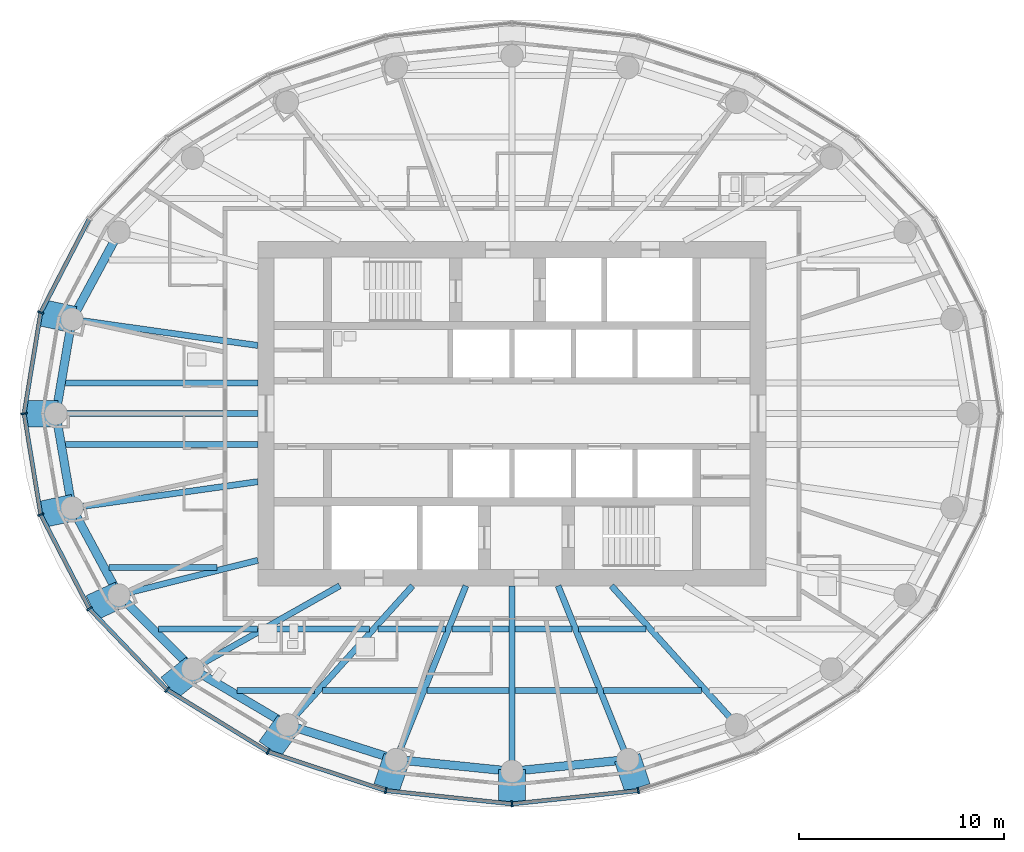
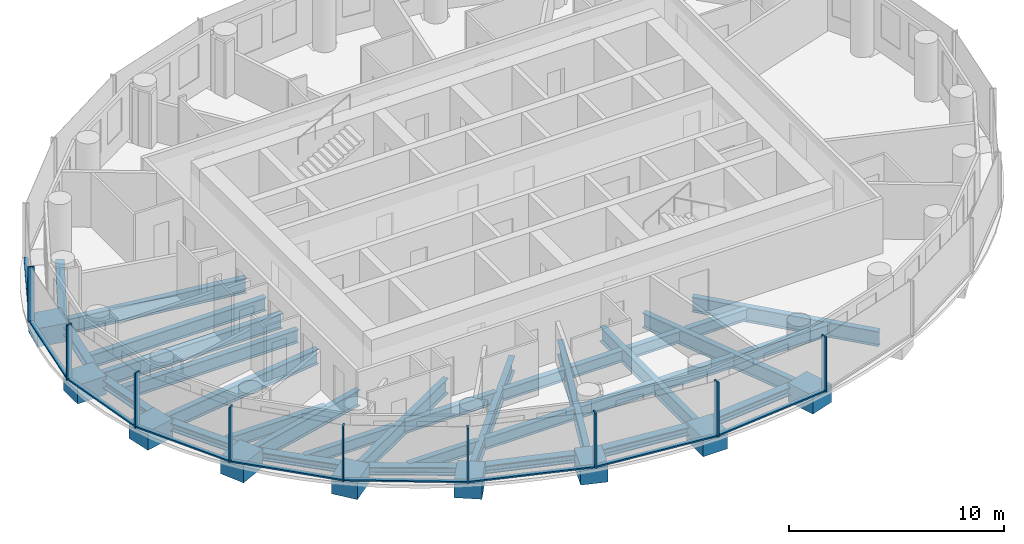
# One storey, part 2 of 16: 42 beams, 18 members, 3 elements without a shape of their own.
"""IFC4 building model written with IfcOpenShell, lengths in metres."""

from ifc_helpers import new_model, si_unit, direction, frame, origin, origin_2d, place, context, subcontext, project, spatial, rectangle, i_section, extrude, material, material_profile, profile_set, type_object, element, aggregate, save


model = new_model("IFC4")

# Units and contexts
model_context = context("Model", 3, precision=1e-05, world=origin(), true_north=direction((0.0, 1.0)))
body_context = subcontext(model_context, "Body", "Model", "MODEL_VIEW")
ifc_project = project(units=[si_unit("LENGTHUNIT", "METRE"), si_unit("AREAUNIT", "SQUARE_METRE"), si_unit("VOLUMEUNIT", "CUBIC_METRE"), si_unit("PLANEANGLEUNIT", "RADIAN"), si_unit("MASSUNIT", "GRAM", prefix="KILO")], contexts=[model_context])

# Site, building, storey
site_placement = place(None, origin())
site = spatial("IfcSite", under=ifc_project, at=site_placement, CompositionType="ELEMENT")
building_placement = place(site_placement, origin())
building = spatial("IfcBuilding", under=site, at=building_placement, Name="Hankou Lantern Tower", CompositionType="ELEMENT")
storey_placement = place(building_placement, frame((0.0, 0.0, 143.39990234375)))
storey = spatial("IfcBuildingStorey", under=building, at=storey_placement, Name="L37", CompositionType="ELEMENT", Elevation=143.39990234375)

# Beams
ifc_material_1 = material(Name="Steel Q355B", Category="steel")
ifc_material_profile_1 = material_profile(ifc_material_1, i_section(OverallWidth=0.4169921875, OverallDepth=0.4580078125, WebThickness=0.030029296875, FlangeThickness=0.050048828125, FilletRadius=0.02197265625, at=origin_2d()), Name="HW458x417x30x50")
ifc_profile_set_1 = profile_set([ifc_material_profile_1], Name="Steel Q355B")
beam_type_1 = type_object("IfcBeamType", Name="EB21 RING BEAM HW458x417x30x50", PredefinedType="SPANDREL", material=ifc_profile_set_1)
beam_1_placement = place(storey_placement, frame((-19.172119140625, 8.855224609375, -0.408935546875), z_axis=(-0.474051612334, -0.880497057828, 0.0), x_axis=(0.880497057828, -0.474051612334, 0.0)))
element("IfcBeam", 1, at=beam_1_placement, inside=storey, type_object=beam_type_1, Name="Ring beam R11-R12 L37", PredefinedType="SPANDREL", context=body_context, shape_type="SweptSolid", body=[
    extrude(i_section(OverallWidth=0.4169921875, OverallDepth=0.4580078125, WebThickness=0.030029296875, FlangeThickness=0.050048828125, FilletRadius=0.02197265625, at=origin_2d()), origin(), (0.0, 0.0, 1.0), 4.831787109375),
])
for number, where, z_axis, x_axis, name in (
    (2, (-21.462646484375, 4.600830078125, -0.408935546875), (-0.168680718946, -0.985670743735, 0.0), (0.985670743735, -0.168680718946, 0.0), "Ring beam R12-R13 L37"),
    (3, (-22.25, 0.0, -0.408935546875), (0.168680718946, -0.985670743735, 0.0), (0.985670743735, 0.168680718946, 0.0), "Ring beam R13-R14 L37"),
):
    element("IfcBeam", number, at=place(storey_placement, frame(where, z_axis=z_axis, x_axis=x_axis)), inside=storey, type_object=beam_type_1, Name=name, PredefinedType="SPANDREL", context=body_context, shape_type="SweptSolid", body=[
        extrude(i_section(OverallWidth=0.4169921875, OverallDepth=0.4580078125, WebThickness=0.030029296875, FlangeThickness=0.050048828125, FilletRadius=0.02197265625, at=origin_2d()), origin(), (0.0, 0.0, 1.0), 4.667724609375),
    ])
beam_2_placement = place(storey_placement, frame((-21.462646484375, -4.600830078125, -0.408935546875), z_axis=(0.474051612334, -0.880497057828, 0.0), x_axis=(0.880497057828, 0.474051612334, 0.0)))
element("IfcBeam", 4, at=beam_2_placement, inside=storey, type_object=beam_type_1, Name="Ring beam R14-R15 L37", PredefinedType="SPANDREL", context=body_context, shape_type="SweptSolid", body=[
    extrude(i_section(OverallWidth=0.4169921875, OverallDepth=0.4580078125, WebThickness=0.030029296875, FlangeThickness=0.050048828125, FilletRadius=0.02197265625, at=origin_2d()), origin(), (0.0, 0.0, 1.0), 4.831787109375),
])
beam_3_placement = place(storey_placement, frame((-19.172119140625, -8.855224609375, -0.408935546875), z_axis=(0.706147278092, -0.708064984054, 0.0), x_axis=(0.708064984054, 0.706147278092, 0.0)))
element("IfcBeam", 5, at=beam_3_placement, inside=storey, type_object=beam_type_1, Name="Ring beam R15-R16 L37", PredefinedType="SPANDREL", context=body_context, shape_type="SweptSolid", body=[
    extrude(i_section(OverallWidth=0.4169921875, OverallDepth=0.4580078125, WebThickness=0.030029296875, FlangeThickness=0.050048828125, FilletRadius=0.02197265625, at=origin_2d()), origin(), (0.0, 0.0, 1.0), 5.09228515625),
])
beam_4_placement = place(storey_placement, frame((-15.576171875, -12.4609375, -0.408935546875), z_axis=(0.861135888339, -0.508374843806, 0.0), x_axis=(0.508374843806, 0.861135888339, 0.0)))
element("IfcBeam", 6, at=beam_4_placement, inside=storey, type_object=beam_type_1, Name="Ring beam R16-R17 L37", PredefinedType="SPANDREL", context=body_context, shape_type="SweptSolid", body=[
    extrude(i_section(OverallWidth=0.4169921875, OverallDepth=0.4580078125, WebThickness=0.030029296875, FlangeThickness=0.050048828125, FilletRadius=0.02197265625, at=origin_2d()), origin(), (0.0, 0.0, 1.0), 5.36083984375),
])
beam_5_placement = place(storey_placement, frame((-10.959716796875, -15.186279296875, -0.408935546875), z_axis=(0.952790404271, -0.30362879562, 0.0), x_axis=(0.30362879562, 0.952790404271, 0.0)))
element("IfcBeam", 7, at=beam_5_placement, inside=storey, type_object=beam_type_1, Name="Ring beam R17-R18 L37", PredefinedType="SPANDREL", context=body_context, shape_type="SweptSolid", body=[
    extrude(i_section(OverallWidth=0.4169921875, OverallDepth=0.4580078125, WebThickness=0.030029296875, FlangeThickness=0.050048828125, FilletRadius=0.02197265625, at=origin_2d()), origin(), (0.0, 0.0, 1.0), 5.56982421875),
])
for number, where, z_axis, x_axis, name in (
    (8, (-5.65283203125, -16.87744140625, -0.408935546875), (0.9949104636, -0.100762936734, 0.0), (0.100762936734, 0.9949104636, 0.0), "Ring beam R18-R19 L37"),
    (9, (0.0, -17.449951171875, -0.408935546875), (0.9949104636, 0.100762936734, 0.0), (-0.100762936734, 0.9949104636, 0.0), "Ring beam R19-R20 L37"),
):
    element("IfcBeam", number, at=place(storey_placement, frame(where, z_axis=z_axis, x_axis=x_axis)), inside=storey, type_object=beam_type_1, Name=name, PredefinedType="SPANDREL", context=body_context, shape_type="SweptSolid", body=[
        extrude(i_section(OverallWidth=0.4169921875, OverallDepth=0.4580078125, WebThickness=0.030029296875, FlangeThickness=0.050048828125, FilletRadius=0.02197265625, at=origin_2d()), origin(), (0.0, 0.0, 1.0), 5.681640625),
    ])

# Curtain wall, member
ifc_material_2 = material(Name="Glass, dark grey tinted laminated", Category="glass")
curtain_wall_type = type_object("IfcCurtainWallType", Name="CWC OUTER SKIN HIGH-RISE", PredefinedType="USERDEFINED", material=ifc_material_2)
curtain_wall_1_placement = place(storey_placement, origin())
curtain_wall_1 = element("IfcCurtainWall", 10, at=curtain_wall_1_placement, inside=storey, type_object=curtain_wall_type, Name="CWC L37 OS2", ObjectType="OUTER SKIN HIGH-RISE", PredefinedType="USERDEFINED")
ifc_material_3 = material(Name="Aluminium, black anodised", Category="aluminium")
ifc_material_profile_2 = material_profile(ifc_material_3, rectangle(XDim=0.080078125, YDim=0.300048828125, at=origin_2d()), Name="MU1 80X300")
ifc_profile_set_2 = profile_set([ifc_material_profile_2], Name="Aluminium, black anodised")
member_type_1 = type_object("IfcMemberType", Name="MU1 OUTER SKIN MULLION 80X300", PredefinedType="MULLION", material=ifc_profile_set_2)
member_1_placement = place(storey_placement, frame((-22.989013671875, 4.927978515625, 0.0), z_axis=(0.0, 0.0, 1.0), x_axis=(-0.317595577365, -0.94822626479, 0.0)))
member_1 = element("IfcMember", 11, at=member_1_placement, type_object=member_type_1, Name="CWC mullion 6", PredefinedType="MULLION", context=body_context, shape_type="SweptSolid", body=[
    extrude(rectangle(XDim=0.080078125, YDim=0.300048828125, at=origin_2d()), origin(), (0.0, 0.0, 1.0), 3.1201171875),
])

# Curtain wall, members
curtain_wall_2_placement = place(storey_placement, origin())
curtain_wall_2 = element("IfcCurtainWall", 12, at=curtain_wall_2_placement, inside=storey, type_object=curtain_wall_type, Name="CWC L37 OS3", ObjectType="OUTER SKIN HIGH-RISE", PredefinedType="USERDEFINED")
member_2_placement = place(storey_placement, frame((-23.800048828125, 0.0, 0.0), z_axis=(0.0, 0.0, 1.0), x_axis=(0.162381515188, -0.986728049427, 0.0)))
member_2 = element("IfcMember", 13, at=member_2_placement, type_object=member_type_1, Name="CWC mullion 1", PredefinedType="MULLION", context=body_context, shape_type="SweptSolid", body=[
    extrude(rectangle(XDim=0.080078125, YDim=0.300048828125, at=origin_2d()), origin(), (0.0, 0.0, 1.0), 3.1201171875),
])
member_3_placement = place(storey_placement, frame((-22.989013671875, -4.927978515625, 0.0), z_axis=(0.0, 0.0, 1.0), x_axis=(0.317595577365, -0.94822626479, 0.0)))
member_3 = element("IfcMember", 14, at=member_3_placement, type_object=member_type_1, Name="CWC mullion 2", PredefinedType="MULLION", context=body_context, shape_type="SweptSolid", body=[
    extrude(rectangle(XDim=0.080078125, YDim=0.300048828125, at=origin_2d()), origin(), (0.0, 0.0, 1.0), 3.1201171875),
])
member_4_placement = place(storey_placement, frame((-20.611328125, -9.52001953125, 0.0), z_axis=(0.0, 0.0, 1.0), x_axis=(0.585205735974, -0.810884854084, 0.0)))
member_4 = element("IfcMember", 15, at=member_4_placement, type_object=member_type_1, Name="CWC mullion 3", PredefinedType="MULLION", context=body_context, shape_type="SweptSolid", body=[
    extrude(rectangle(XDim=0.080078125, YDim=0.300048828125, at=origin_2d()), origin(), (0.0, 0.0, 1.0), 3.1201171875),
])
member_5_placement = place(storey_placement, frame((-16.8291015625, -13.46337890625, 0.0), z_axis=(0.0, 0.0, 1.0), x_axis=(0.780868809444, -0.624695047553, 0.0)))
member_5 = element("IfcMember", 16, at=member_5_placement, type_object=member_type_1, Name="CWC mullion 4", PredefinedType="MULLION", context=body_context, shape_type="SweptSolid", body=[
    extrude(rectangle(XDim=0.080078125, YDim=0.300048828125, at=origin_2d()), origin(), (0.0, 0.0, 1.0), 3.1201171875),
])
member_6_placement = place(storey_placement, frame((-11.89990234375, -16.489013671875, 0.0), z_axis=(0.0, 0.0, 1.0), x_axis=(0.907841299004, -0.419313934686, 0.0)))
member_6 = element("IfcMember", 17, at=member_6_placement, type_object=member_type_1, Name="CWC mullion 5", PredefinedType="MULLION", context=body_context, shape_type="SweptSolid", body=[
    extrude(rectangle(XDim=0.080078125, YDim=0.300048828125, at=origin_2d()), origin(), (0.0, 0.0, 1.0), 3.1201171875),
])
member_7_placement = place(storey_placement, frame((-6.159912109375, -18.39111328125, 0.0), z_axis=(0.0, 0.0, 1.0), x_axis=(0.977787659625, -0.209597931016, 0.0)))
member_7 = element("IfcMember", 18, at=member_7_placement, type_object=member_type_1, Name="CWC mullion 6", PredefinedType="MULLION", context=body_context, shape_type="SweptSolid", body=[
    extrude(rectangle(XDim=0.080078125, YDim=0.300048828125, at=origin_2d()), origin(), (0.0, 0.0, 1.0), 3.1201171875),
])

curtain_wall_3_placement = place(storey_placement, origin())
curtain_wall_3 = element("IfcCurtainWall", 19, at=curtain_wall_3_placement, inside=storey, type_object=curtain_wall_type, Name="CWC L37 OS4", ObjectType="OUTER SKIN HIGH-RISE", PredefinedType="USERDEFINED")
member_8_placement = place(storey_placement, frame((0.0, -19.0400390625, 0.0), z_axis=(0.0, 0.0, 1.0), x_axis=(0.994499359107, 0.104742659579, 0.0)))
member_8 = element("IfcMember", 20, at=member_8_placement, type_object=member_type_1, Name="CWC mullion 1", PredefinedType="MULLION", context=body_context, shape_type="SweptSolid", body=[
    extrude(rectangle(XDim=0.080078125, YDim=0.300048828125, at=origin_2d()), origin(), (0.0, 0.0, 1.0), 3.1201171875),
])
member_9_placement = place(storey_placement, frame((6.159912109375, -18.39111328125, 0.0), z_axis=(0.0, 0.0, 1.0), x_axis=(0.977787659625, 0.209597931016, 0.0)))
member_9 = element("IfcMember", 21, at=member_9_placement, type_object=member_type_1, Name="CWC mullion 2", PredefinedType="MULLION", context=body_context, shape_type="SweptSolid", body=[
    extrude(rectangle(XDim=0.080078125, YDim=0.300048828125, at=origin_2d()), origin(), (0.0, 0.0, 1.0), 3.1201171875),
])

# Beams
ifc_material_4 = material(Name="Steel Q355B", Category="steel")
ifc_material_profile_3 = material_profile(ifc_material_4, i_section(OverallWidth=0.300048828125, OverallDepth=0.85009765625, WebThickness=0.01611328125, FlangeThickness=0.027099609375, FilletRadius=0.01806640625, at=origin_2d()), Name="HN850x300x16x27")
ifc_profile_set_3 = profile_set([ifc_material_profile_3], Name="Steel Q355B")
beam_type_2 = type_object("IfcBeamType", Name="RB12 RADIAL BEAM HN850x300x16x27", PredefinedType="BEAM", material=ifc_profile_set_3)
beam_6_placement = place(storey_placement, frame((-12.39990234375, 3.322509765625, -0.60498046875), z_axis=(-0.990198154617, 0.13966966239, 0.0), x_axis=(-0.13966966239, -0.990198154617, 0.0)))
element("IfcBeam", 22, at=beam_6_placement, inside=storey, type_object=beam_type_2, Name="Radial beam R12 L37", PredefinedType="BEAM", context=body_context, shape_type="SweptSolid", body=[
    extrude(i_section(OverallWidth=0.300048828125, OverallDepth=0.85009765625, WebThickness=0.01611328125, FlangeThickness=0.027099609375, FilletRadius=0.01806640625, at=origin_2d()), origin(), (0.0, 0.0, 1.0), 9.15234375),
])
beam_7_placement = place(storey_placement, frame((-12.39990234375, 0.0, -0.60498046875), z_axis=(-1.0, 0.0, 0.0), x_axis=(0.0, -1.0, 0.0)))
element("IfcBeam", 23, at=beam_7_placement, inside=storey, type_object=beam_type_2, Name="Radial beam R13 L37", PredefinedType="BEAM", context=body_context, shape_type="SweptSolid", body=[
    extrude(i_section(OverallWidth=0.300048828125, OverallDepth=0.85009765625, WebThickness=0.01611328125, FlangeThickness=0.027099609375, FilletRadius=0.01806640625, at=origin_2d()), origin(), (0.0, 0.0, 1.0), 9.85009765625),
])
beam_8_placement = place(storey_placement, frame((-12.39990234375, -3.322509765625, -0.60498046875), z_axis=(-0.990198154617, -0.13966966239, 0.0), x_axis=(0.13966966239, -0.990198154617, 0.0)))
element("IfcBeam", 24, at=beam_8_placement, inside=storey, type_object=beam_type_2, Name="Radial beam R14 L37", PredefinedType="BEAM", context=body_context, shape_type="SweptSolid", body=[
    extrude(i_section(OverallWidth=0.300048828125, OverallDepth=0.85009765625, WebThickness=0.01611328125, FlangeThickness=0.027099609375, FilletRadius=0.01806640625, at=origin_2d()), origin(), (0.0, 0.0, 1.0), 9.15234375),
])
beam_9_placement = place(storey_placement, frame((-8.39990234375, -8.39990234375, -0.60498046875), z_axis=(-0.870309058024, -0.492505983234, 0.0), x_axis=(0.492505983234, -0.870309058024, 0.0)))
element("IfcBeam", 25, at=beam_9_placement, inside=storey, type_object=beam_type_2, Name="Radial beam R16 L37", PredefinedType="BEAM", context=body_context, shape_type="SweptSolid", body=[
    extrude(i_section(OverallWidth=0.300048828125, OverallDepth=0.85009765625, WebThickness=0.01611328125, FlangeThickness=0.027099609375, FilletRadius=0.01806640625, at=origin_2d()), origin(), (0.0, 0.0, 1.0), 8.24560546875),
])
beam_10_placement = place(storey_placement, frame((-4.849853515625, -8.39990234375, -0.60498046875), z_axis=(-0.669093231314, -0.743178476418, 0.0), x_axis=(0.743178476418, -0.669093231314, 0.0)))
element("IfcBeam", 26, at=beam_10_placement, inside=storey, type_object=beam_type_2, Name="Radial beam R17 L37", PredefinedType="BEAM", context=body_context, shape_type="SweptSolid", body=[
    extrude(i_section(OverallWidth=0.300048828125, OverallDepth=0.85009765625, WebThickness=0.01611328125, FlangeThickness=0.027099609375, FilletRadius=0.01806640625, at=origin_2d()), origin(), (0.0, 0.0, 1.0), 9.131591796875),
])
beam_11_placement = place(storey_placement, frame((-2.250732421875, -8.39990234375, -0.60498046875), z_axis=(-0.372436468133, -0.928057690666, 0.0), x_axis=(0.928057690666, -0.372436468133, 0.0)))
element("IfcBeam", 27, at=beam_11_placement, inside=storey, type_object=beam_type_2, Name="Radial beam R18 L37", PredefinedType="BEAM", context=body_context, shape_type="SweptSolid", body=[
    extrude(i_section(OverallWidth=0.300048828125, OverallDepth=0.85009765625, WebThickness=0.01611328125, FlangeThickness=0.027099609375, FilletRadius=0.01806640625, at=origin_2d()), origin(), (0.0, 0.0, 1.0), 9.134765625),
])
beam_12_placement = place(storey_placement, frame((0.0, -8.39990234375, -0.60498046875), z_axis=(0.0, -1.0, 0.0), x_axis=(1.0, 0.0, 0.0)))
element("IfcBeam", 28, at=beam_12_placement, inside=storey, type_object=beam_type_2, Name="Radial beam R19 L37", PredefinedType="BEAM", context=body_context, shape_type="SweptSolid", body=[
    extrude(i_section(OverallWidth=0.300048828125, OverallDepth=0.85009765625, WebThickness=0.01611328125, FlangeThickness=0.027099609375, FilletRadius=0.01806640625, at=origin_2d()), origin(), (0.0, 0.0, 1.0), 9.050048828125),
])
beam_13_placement = place(storey_placement, frame((2.250732421875, -8.39990234375, -0.60498046875), z_axis=(0.372436468133, -0.928057690666, 0.0), x_axis=(0.928057690666, 0.372436468133, 0.0)))
element("IfcBeam", 29, at=beam_13_placement, inside=storey, type_object=beam_type_2, Name="Radial beam R20 L37", PredefinedType="BEAM", context=body_context, shape_type="SweptSolid", body=[
    extrude(i_section(OverallWidth=0.300048828125, OverallDepth=0.85009765625, WebThickness=0.01611328125, FlangeThickness=0.027099609375, FilletRadius=0.01806640625, at=origin_2d()), origin(), (0.0, 0.0, 1.0), 9.134765625),
])
beam_14_placement = place(storey_placement, frame((4.849853515625, -8.39990234375, -0.60498046875), z_axis=(0.669093231314, -0.743178476418, 0.0), x_axis=(0.743178476418, 0.669093231314, 0.0)))
element("IfcBeam", 30, at=beam_14_placement, inside=storey, type_object=beam_type_2, Name="Radial beam R21 L37", PredefinedType="BEAM", context=body_context, shape_type="SweptSolid", body=[
    extrude(i_section(OverallWidth=0.300048828125, OverallDepth=0.85009765625, WebThickness=0.01611328125, FlangeThickness=0.027099609375, FilletRadius=0.01806640625, at=origin_2d()), origin(), (0.0, 0.0, 1.0), 9.131591796875),
])
ifc_material_5 = material(Name="Steel Q355B", Category="steel")
ifc_material_profile_4 = material_profile(ifc_material_5, i_section(OverallWidth=0.300048828125, OverallDepth=0.89990234375, WebThickness=0.01611328125, FlangeThickness=0.028076171875, FilletRadius=0.01806640625, at=origin_2d()), Name="HN900x300x16x28")
ifc_profile_set_4 = profile_set([ifc_material_profile_4], Name="Steel Q355B")
beam_type_3 = type_object("IfcBeamType", Name="RB13 RADIAL BEAM HN900x300x16x28", PredefinedType="BEAM", material=ifc_profile_set_4)
beam_15_placement = place(storey_placement, frame((-12.39990234375, -7.1591796875, -0.6298828125), z_axis=(-0.970041619568, -0.242938791274, 0.0), x_axis=(0.242938791274, -0.970041619568, 0.0)))
element("IfcBeam", 31, at=beam_15_placement, inside=storey, type_object=beam_type_3, Name="Radial beam R15 L37", PredefinedType="BEAM", context=body_context, shape_type="SweptSolid", body=[
    extrude(i_section(OverallWidth=0.300048828125, OverallDepth=0.89990234375, WebThickness=0.01611328125, FlangeThickness=0.028076171875, FilletRadius=0.01806640625, at=origin_2d()), origin(), (0.0, 0.0, 1.0), 6.9814453125),
])
ifc_material_6 = material(Name="Steel Q355B", Category="steel")
ifc_material_profile_5 = material_profile(ifc_material_6, i_section(OverallWidth=0.300048828125, OverallDepth=0.75, WebThickness=0.012939453125, FlangeThickness=0.02392578125, FilletRadius=0.01806640625, at=origin_2d()), Name="HN750x300x13x24")
ifc_profile_set_5 = profile_set([ifc_material_profile_5], Name="Steel Q355B")
beam_type_4 = type_object("IfcBeamType", Name="SB10 SECONDARY BEAM HN750x300x13x24", PredefinedType="JOIST", material=ifc_profile_set_5)
for number, where, z_axis, x_axis, name in (
    (32, (-21.78173828125, -1.5, -0.554931640625), (1.0, 0.0, 0.0), (0.0, 1.0, 0.0), "Floor joist J019 L37"),
    (33, (-21.78173828125, 1.5, -0.554931640625), (1.0, 0.0, 0.0), (0.0, 1.0, 0.0), "Floor joist J021 L37"),
):
    element("IfcBeam", number, at=place(storey_placement, frame(where, z_axis=z_axis, x_axis=x_axis)), inside=storey, type_object=beam_type_4, Name=name, PredefinedType="JOIST", context=body_context, shape_type="SweptSolid", body=[
        extrude(i_section(OverallWidth=0.300048828125, OverallDepth=0.75, WebThickness=0.012939453125, FlangeThickness=0.02392578125, FilletRadius=0.01806640625, at=origin_2d()), origin(), (0.0, 0.0, 1.0), 9.3818359375),
    ])
ifc_material_7 = material(Name="Steel Q355B", Category="steel")
ifc_material_profile_6 = material_profile(ifc_material_7, i_section(OverallWidth=0.300048828125, OverallDepth=0.64990234375, WebThickness=0.010986328125, FlangeThickness=0.01708984375, FilletRadius=0.01806640625, at=origin_2d()), Name="HN650x300x11x17")
ifc_profile_set_6 = profile_set([ifc_material_profile_6], Name="Steel Q355B")
beam_type_5 = type_object("IfcBeamType", Name="SB8 SECONDARY BEAM HN650x300x11x17", PredefinedType="JOIST", material=ifc_profile_set_6)
beam_16_placement = place(storey_placement, frame((-13.40576171875, -13.5, -0.5048828125), z_axis=(1.0, 0.0, 0.0), x_axis=(0.0, 1.0, 0.0)))
element("IfcBeam", 34, at=beam_16_placement, inside=storey, type_object=beam_type_5, Name="Floor joist J001 L37", PredefinedType="JOIST", context=body_context, shape_type="SweptSolid", body=[
    extrude(i_section(OverallWidth=0.300048828125, OverallDepth=0.64990234375, WebThickness=0.010986328125, FlangeThickness=0.01708984375, FilletRadius=0.01806640625, at=origin_2d()), origin(), (0.0, 0.0, 1.0), 3.762451171875),
])
beam_17_placement = place(storey_placement, frame((-9.23974609375, -13.5, -0.5048828125), z_axis=(1.0, 0.0, 0.0), x_axis=(0.0, 1.0, 0.0)))
element("IfcBeam", 35, at=beam_17_placement, inside=storey, type_object=beam_type_5, Name="Floor joist J002 L37", PredefinedType="JOIST", context=body_context, shape_type="SweptSolid", body=[
    extrude(i_section(OverallWidth=0.300048828125, OverallDepth=0.64990234375, WebThickness=0.010986328125, FlangeThickness=0.01708984375, FilletRadius=0.01806640625, at=origin_2d()), origin(), (0.0, 0.0, 1.0), 4.780517578125),
])
for number, where, z_axis, x_axis, name in (
    (36, (-4.135986328125, -13.5, -0.5048828125), (1.0, 0.0, 0.0), (0.0, 1.0, 0.0), "Floor joist J003 L37"),
    (37, (0.14990234375, -13.5, -0.5048828125), (1.0, 0.0, 0.0), (0.0, 1.0, 0.0), "Floor joist J004 L37"),
):
    element("IfcBeam", number, at=place(storey_placement, frame(where, z_axis=z_axis, x_axis=x_axis)), inside=storey, type_object=beam_type_5, Name=name, PredefinedType="JOIST", context=body_context, shape_type="SweptSolid", body=[
        extrude(i_section(OverallWidth=0.300048828125, OverallDepth=0.64990234375, WebThickness=0.010986328125, FlangeThickness=0.01708984375, FilletRadius=0.01806640625, at=origin_2d()), origin(), (0.0, 0.0, 1.0), 3.986083984375),
    ])
beam_18_placement = place(storey_placement, frame((4.459228515625, -13.5, -0.5048828125), z_axis=(1.0, 0.0, 0.0), x_axis=(0.0, 1.0, 0.0)))
element("IfcBeam", 38, at=beam_18_placement, inside=storey, type_object=beam_type_5, Name="Floor joist J005 L37", PredefinedType="JOIST", context=body_context, shape_type="SweptSolid", body=[
    extrude(i_section(OverallWidth=0.300048828125, OverallDepth=0.64990234375, WebThickness=0.010986328125, FlangeThickness=0.01708984375, FilletRadius=0.01806640625, at=origin_2d()), origin(), (0.0, 0.0, 1.0), 4.780517578125),
])
beam_19_placement = place(storey_placement, frame((-17.2373046875, -10.5, -0.5048828125), z_axis=(1.0, 0.0, 0.0), x_axis=(0.0, 1.0, 0.0)))
element("IfcBeam", 39, at=beam_19_placement, inside=storey, type_object=beam_type_5, Name="Floor joist J007 L37", PredefinedType="JOIST", context=body_context, shape_type="SweptSolid", body=[
    extrude(i_section(OverallWidth=0.300048828125, OverallDepth=0.64990234375, WebThickness=0.010986328125, FlangeThickness=0.01708984375, FilletRadius=0.01806640625, at=origin_2d()), origin(), (0.0, 0.0, 1.0), 4.82177734375),
])
beam_20_placement = place(storey_placement, frame((-11.806396484375, -10.5, -0.5048828125), z_axis=(1.0, 0.0, 0.0), x_axis=(0.0, 1.0, 0.0)))
element("IfcBeam", 40, at=beam_20_placement, inside=storey, type_object=beam_type_5, Name="Floor joist J008 L37", PredefinedType="JOIST", context=body_context, shape_type="SweptSolid", body=[
    extrude(i_section(OverallWidth=0.300048828125, OverallDepth=0.64990234375, WebThickness=0.010986328125, FlangeThickness=0.01708984375, FilletRadius=0.01806640625, at=origin_2d()), origin(), (0.0, 0.0, 1.0), 4.864013671875),
])
beam_21_placement = place(storey_placement, frame((-6.53857421875, -10.5, -0.5048828125), z_axis=(1.0, 0.0, 0.0), x_axis=(0.0, 1.0, 0.0)))
element("IfcBeam", 41, at=beam_21_placement, inside=storey, type_object=beam_type_5, Name="Floor joist J009 L37", PredefinedType="JOIST", context=body_context, shape_type="SweptSolid", body=[
    extrude(i_section(OverallWidth=0.300048828125, OverallDepth=0.64990234375, WebThickness=0.010986328125, FlangeThickness=0.01708984375, FilletRadius=0.01806640625, at=origin_2d()), origin(), (0.0, 0.0, 1.0), 3.283447265625),
])
for number, where, z_axis, x_axis, name in (
    (42, (-2.931884765625, -10.5, -0.5048828125), (1.0, 0.0, 0.0), (0.0, 1.0, 0.0), "Floor joist J010 L37"),
    (43, (0.14990234375, -10.5, -0.5048828125), (1.0, 0.0, 0.0), (0.0, 1.0, 0.0), "Floor joist J011 L37"),
):
    element("IfcBeam", number, at=place(storey_placement, frame(where, z_axis=z_axis, x_axis=x_axis)), inside=storey, type_object=beam_type_5, Name=name, PredefinedType="JOIST", context=body_context, shape_type="SweptSolid", body=[
        extrude(i_section(OverallWidth=0.300048828125, OverallDepth=0.64990234375, WebThickness=0.010986328125, FlangeThickness=0.01708984375, FilletRadius=0.01806640625, at=origin_2d()), origin(), (0.0, 0.0, 1.0), 2.781982421875),
    ])
beam_22_placement = place(storey_placement, frame((3.255126953125, -10.5, -0.5048828125), z_axis=(1.0, 0.0, 0.0), x_axis=(0.0, 1.0, 0.0)))
element("IfcBeam", 44, at=beam_22_placement, inside=storey, type_object=beam_type_5, Name="Floor joist J012 L37", PredefinedType="JOIST", context=body_context, shape_type="SweptSolid", body=[
    extrude(i_section(OverallWidth=0.300048828125, OverallDepth=0.64990234375, WebThickness=0.010986328125, FlangeThickness=0.01708984375, FilletRadius=0.01806640625, at=origin_2d()), origin(), (0.0, 0.0, 1.0), 3.283447265625),
])
beam_23_placement = place(storey_placement, frame((-19.6650390625, -7.5, -0.5048828125), z_axis=(1.0, 0.0, 0.0), x_axis=(0.0, 1.0, 0.0)))
element("IfcBeam", 45, at=beam_23_placement, inside=storey, type_object=beam_type_5, Name="Floor joist J015 L37", PredefinedType="JOIST", context=body_context, shape_type="SweptSolid", body=[
    extrude(i_section(OverallWidth=0.300048828125, OverallDepth=0.64990234375, WebThickness=0.010986328125, FlangeThickness=0.01708984375, FilletRadius=0.01806640625, at=origin_2d()), origin(), (0.0, 0.0, 1.0), 5.28662109375),
])
ifc_material_8 = material(Name="Concrete C60", Category="concrete")
ifc_material_profile_7 = material_profile(ifc_material_8, rectangle(XDim=1.300048828125, YDim=1.050048828125, at=origin_2d()), Name="RC 1300x1050")
ifc_profile_set_7 = profile_set([ifc_material_profile_7], Name="Concrete C60")
beam_type_6 = type_object("IfcBeamType", Name="TN2 TRANSFER NODE RC 1300x1050", PredefinedType="BEAM", material=ifc_profile_set_7)
for number, where, z_axis, x_axis, name in (
    (46, (-22.890380859375, 4.90673828125, -0.52490234375), (0.977797833422, -0.209550463981, 0.0), (0.209550463981, 0.977797833422, 0.0), "Transfer node R12 L37"),
    (47, (-23.7099609375, 0.0, -0.52490234375), (1.0, 0.0, 0.0), (0.0, 1.0, 0.0), "Transfer node R13 L37"),
    (48, (-22.890380859375, -4.90673828125, -0.52490234375), (0.977797833422, 0.209550463981, 0.0), (-0.209550463981, 0.977797833422, 0.0), "Transfer node R14 L37"),
):
    element("IfcBeam", number, at=place(storey_placement, frame(where, z_axis=z_axis, x_axis=x_axis)), inside=storey, type_object=beam_type_6, Name=name, PredefinedType="BEAM", context=body_context, shape_type="SweptSolid", body=[
        extrude(rectangle(XDim=1.300048828125, YDim=1.050048828125, at=origin_2d()), origin(), (0.0, 0.0, 1.0), 1.56005859375),
    ])
beam_24_placement = place(storey_placement, frame((-20.49755859375, -9.467529296875, -0.52490234375), z_axis=(0.907776062838, 0.419455146277, 0.0), x_axis=(-0.419455146277, 0.907776062838, 0.0)))
element("IfcBeam", 49, at=beam_24_placement, inside=storey, type_object=beam_type_6, Name="Transfer node R15 L37", PredefinedType="BEAM", context=body_context, shape_type="SweptSolid", body=[
    extrude(rectangle(XDim=1.300048828125, YDim=1.050048828125, at=origin_2d()), origin(), (0.0, 0.0, 1.0), 1.559814453125),
])
for number, where, z_axis, x_axis, name in (
    (50, (-16.71630859375, -13.373046875, -0.52490234375), (0.780868809443, 0.624695047554, 0.0), (-0.624695047554, 0.780868809443, 0.0), "Transfer node R16 L37"),
    (51, (-11.814208984375, -16.3701171875, -0.52490234375), (0.585301978725, 0.810815388175, 0.0), (-0.810815388175, 0.585301978725, 0.0), "Transfer node R17 L37"),
    (52, (-6.116455078125, -18.261962890625, -0.52490234375), (0.31754207721, 0.948244182266, 0.0), (-0.948244182266, 0.31754207721, 0.0), "Transfer node R18 L37"),
):
    element("IfcBeam", number, at=place(storey_placement, frame(where, z_axis=z_axis, x_axis=x_axis)), inside=storey, type_object=beam_type_6, Name=name, PredefinedType="BEAM", context=body_context, shape_type="SweptSolid", body=[
        extrude(rectangle(XDim=1.300048828125, YDim=1.050048828125, at=origin_2d()), origin(), (0.0, 0.0, 1.0), 1.56005859375),
    ])
beam_25_placement = place(storey_placement, frame((0.0, -18.909912109375, -0.52490234375), z_axis=(0.0, 1.0, 0.0), x_axis=(-1.0, 0.0, 0.0)))
element("IfcBeam", 53, at=beam_25_placement, inside=storey, type_object=beam_type_6, Name="Transfer node R19 L37", PredefinedType="BEAM", context=body_context, shape_type="SweptSolid", body=[
    extrude(rectangle(XDim=1.300048828125, YDim=1.050048828125, at=origin_2d()), origin(), (0.0, 0.0, 1.0), 1.559814453125),
])
beam_26_placement = place(storey_placement, frame((6.116455078125, -18.261962890625, -0.52490234375), z_axis=(-0.31754207721, 0.948244182266, 0.0), x_axis=(-0.948244182266, -0.31754207721, 0.0)))
element("IfcBeam", 54, at=beam_26_placement, inside=storey, type_object=beam_type_6, Name="Transfer node R20 L37", PredefinedType="BEAM", context=body_context, shape_type="SweptSolid", body=[
    extrude(rectangle(XDim=1.300048828125, YDim=1.050048828125, at=origin_2d()), origin(), (0.0, 0.0, 1.0), 1.56005859375),
])

# Member
ifc_material_9 = material(Name="Aluminium, black anodised", Category="aluminium")
ifc_material_profile_8 = material_profile(ifc_material_9, rectangle(XDim=0.199951171875, YDim=0.080078125, at=origin_2d()), Name="TR1 200X80")
ifc_profile_set_8 = profile_set([ifc_material_profile_8], Name="Aluminium, black anodised")
member_type_2 = type_object("IfcMemberType", Name="TR1 OUTER SKIN TRANSOM 200X80", PredefinedType="USERDEFINED", material=ifc_profile_set_8)
member_10_placement = place(storey_placement, frame((-20.6298828125, 9.484375, 0.0400390625), z_axis=(-0.459790772977, -0.888027277219, 0.0), x_axis=(0.888027277219, -0.459790772977, 0.0)))
member_10 = element("IfcMember", 55, at=member_10_placement, type_object=member_type_2, Name="CWC transom 5", ObjectType="TRANSOM", PredefinedType="USERDEFINED", context=body_context, shape_type="SweptSolid", body=[
    extrude(rectangle(XDim=0.199951171875, YDim=0.080078125, at=origin_2d()), origin(), (0.0, 0.0, 1.0), 5.091064453125),
])

member_11_placement = place(storey_placement, frame((-22.99560546875, 4.888427734375, 0.0400390625), z_axis=(-0.162360337061, -0.986731534385, 0.0), x_axis=(0.986731534385, -0.162360337061, 0.0)))
member_11 = element("IfcMember", 56, at=member_11_placement, type_object=member_type_2, Name="CWC transom 6", ObjectType="TRANSOM", PredefinedType="USERDEFINED", context=body_context, shape_type="SweptSolid", body=[
    extrude(rectangle(XDim=0.199951171875, YDim=0.080078125, at=origin_2d()), origin(), (0.0, 0.0, 1.0), 4.9140625),
])

aggregate(curtain_wall_1, [member_1, member_10, member_11])

member_12_placement = place(storey_placement, frame((-23.79345703125, -0.03955078125, 0.0400390625), z_axis=(0.162360337061, -0.986731534385, 0.0), x_axis=(0.986731534385, 0.162360337061, 0.0)))
member_12 = element("IfcMember", 57, at=member_12_placement, type_object=member_type_2, Name="CWC transom 1", ObjectType="TRANSOM", PredefinedType="USERDEFINED", context=body_context, shape_type="SweptSolid", body=[
    extrude(rectangle(XDim=0.199951171875, YDim=0.080078125, at=origin_2d()), origin(), (0.0, 0.0, 1.0), 4.9140625),
])

member_13_placement = place(storey_placement, frame((-22.970703125, -4.96337890625, 0.0400390625), z_axis=(0.459790772977, -0.888027277219, 0.0), x_axis=(0.888027277219, 0.459790772977, 0.0)))
member_13 = element("IfcMember", 58, at=member_13_placement, type_object=member_type_2, Name="CWC transom 2", ObjectType="TRANSOM", PredefinedType="USERDEFINED", context=body_context, shape_type="SweptSolid", body=[
    extrude(rectangle(XDim=0.199951171875, YDim=0.080078125, at=origin_2d()), origin(), (0.0, 0.0, 1.0), 5.091064453125),
])

member_14_placement = place(storey_placement, frame((-20.583740234375, -9.548828125, 0.0400390625), z_axis=(0.692215543831, -0.721690820836, 0.0), x_axis=(0.721690820836, 0.692215543831, 0.0)))
member_14 = element("IfcMember", 59, at=member_14_placement, type_object=member_type_2, Name="CWC transom 3", ObjectType="TRANSOM", PredefinedType="USERDEFINED", context=body_context, shape_type="SweptSolid", body=[
    extrude(rectangle(XDim=0.199951171875, YDim=0.080078125, at=origin_2d()), origin(), (0.0, 0.0, 1.0), 5.3837890625),
])

member_15_placement = place(storey_placement, frame((-16.795166015625, -13.484130859375, 0.0400390625), z_axis=(0.852229482357, -0.523168146394, 0.0), x_axis=(0.523168146394, 0.852229482357, 0.0)))
member_15 = element("IfcMember", 60, at=member_15_placement, type_object=member_type_2, Name="CWC transom 4", ObjectType="TRANSOM", PredefinedType="USERDEFINED", context=body_context, shape_type="SweptSolid", body=[
    extrude(rectangle(XDim=0.199951171875, YDim=0.080078125, at=origin_2d()), origin(), (0.0, 0.0, 1.0), 5.703857421875),
])

member_16_placement = place(storey_placement, frame((-11.862060546875, -16.501708984375, 0.0400390625), z_axis=(0.949242327551, -0.314545709849, 0.0), x_axis=(0.314545709849, 0.949242327551, 0.0)))
member_16 = element("IfcMember", 61, at=member_16_placement, type_object=member_type_2, Name="CWC transom 5", ObjectType="TRANSOM", PredefinedType="USERDEFINED", context=body_context, shape_type="SweptSolid", body=[
    extrude(rectangle(XDim=0.199951171875, YDim=0.080078125, at=origin_2d()), origin(), (0.0, 0.0, 1.0), 5.96728515625),
])

member_17_placement = place(storey_placement, frame((-6.1201171875, -18.3955078125, 0.0400390625), z_axis=(0.994499543631, -0.104740907567, 0.0), x_axis=(0.104740907567, 0.994499543631, 0.0)))
member_17 = element("IfcMember", 62, at=member_17_placement, type_object=member_type_2, Name="CWC transom 6", ObjectType="TRANSOM", PredefinedType="USERDEFINED", context=body_context, shape_type="SweptSolid", body=[
    extrude(rectangle(XDim=0.199951171875, YDim=0.080078125, at=origin_2d()), origin(), (0.0, 0.0, 1.0), 6.114013671875),
])

aggregate(curtain_wall_2, [member_2, member_3, member_4, member_5, member_6, member_7, member_12, member_13, member_14, member_15, member_16, member_17])

member_18_placement = place(storey_placement, frame((0.039794921875, -19.035888671875, 0.0400390625), z_axis=(0.994499543631, 0.104740907567, 0.0), x_axis=(-0.104740907567, 0.994499543631, 0.0)))
member_18 = element("IfcMember", 63, at=member_18_placement, type_object=member_type_2, Name="CWC transom 1", ObjectType="TRANSOM", PredefinedType="USERDEFINED", context=body_context, shape_type="SweptSolid", body=[
    extrude(rectangle(XDim=0.199951171875, YDim=0.080078125, at=origin_2d()), origin(), (0.0, 0.0, 1.0), 6.114013671875),
])

aggregate(curtain_wall_3, [member_8, member_9, member_18])

save(model, "model.ifc")
